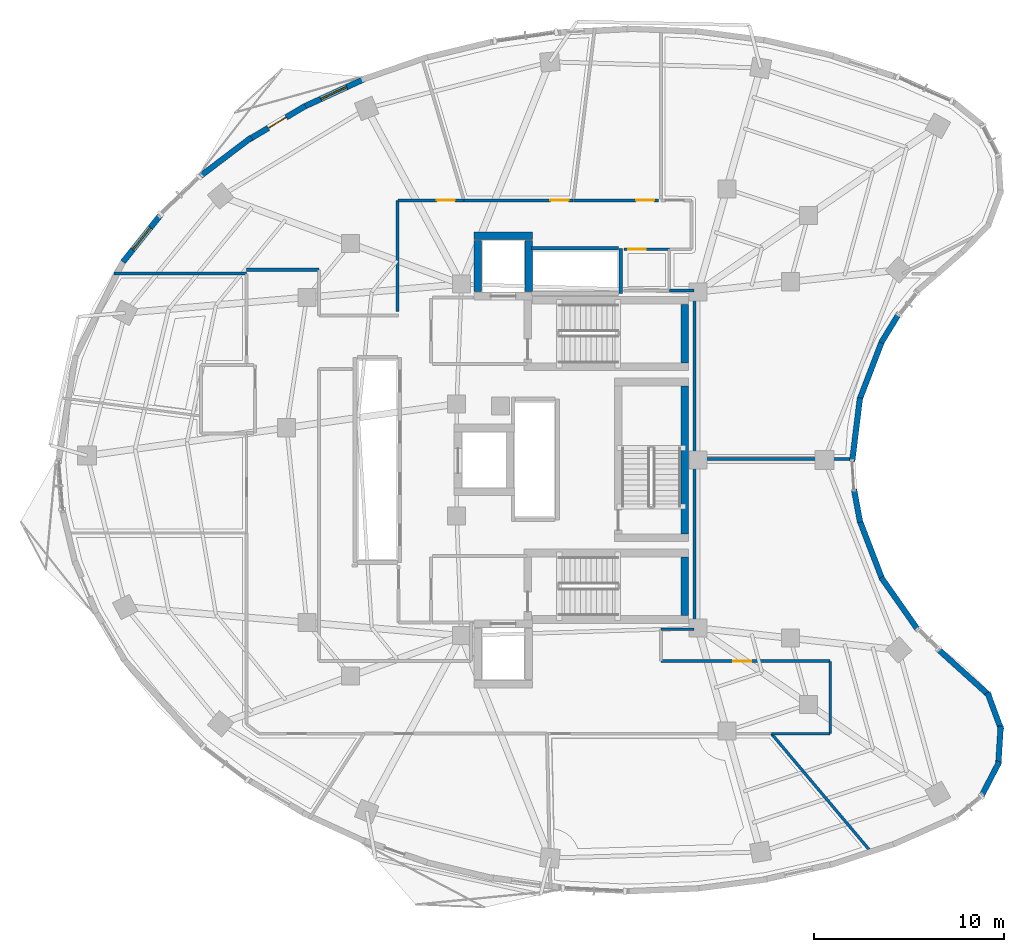
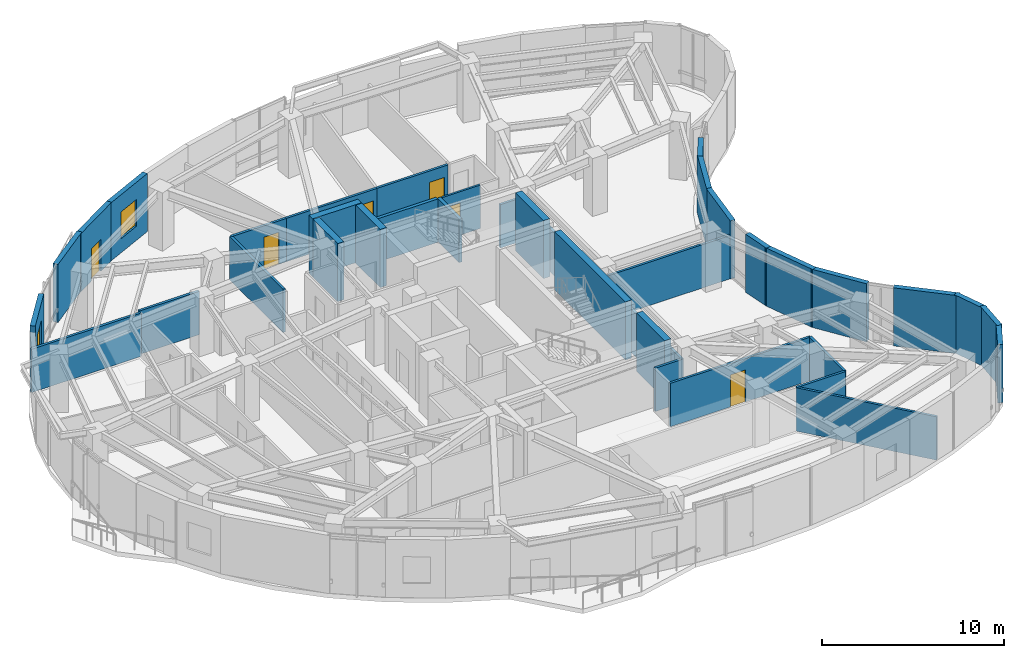
# One storey, part 10 of 15: 38 walls, 6 doors, 2 windows, 8 openings.
"""IFC4 building model written with IfcOpenShell, lengths in metres."""

import ifcopenshell
import ifcopenshell.guid

model = None  # the IFC model being written
_history = None  # IfcOwnerHistory: only IFC2X3 demands one
_inside = {}  # id of a spatial element -> (the spatial element, [elements in it])
_under = {}  # id of a project, library or spatial element -> (it, [spatial elements below it])
_declared = {}  # id of a project -> (the project, [libraries it declares])
_typed = {}  # id of a type object -> (the type object, [elements of that type])
_made_of = {}  # id of a material, layer set ... -> (it, [elements and type objects made of it])


def new_model(schema):
    """Start an empty IFC model of exactly this schema.

    Asked for "IFC4X3", IfcOpenShell would pick the latest addendum, in which some entities
    have other attributes; the version numbers below select the first issue.
    IFC2X3 requires an IfcOwnerHistory on every rooted entity: one is made here for all.
    """
    global model, _history
    if schema == "IFC4X3":
        model = ifcopenshell.file(schema_version=(4, 3, 0, 0))
    else:
        model = ifcopenshell.file(schema=schema)
    _inside.clear()
    _under.clear()
    _declared.clear()
    _typed.clear()
    _made_of.clear()
    _history = None
    if model.schema == "IFC2X3":
        org = make("IfcOrganization", Name="unknown")
        user = make(
            "IfcPersonAndOrganization",
            ThePerson=make("IfcPerson", FamilyName="unknown"),
            TheOrganization=org,
        )
        app = make(
            "IfcApplication",
            ApplicationDeveloper=org,
            Version="unknown",
            ApplicationFullName="unknown",
            ApplicationIdentifier="unknown",
        )
        _history = make(
            "IfcOwnerHistory",
            OwningUser=user,
            OwningApplication=app,
            ChangeAction="ADDED",
            CreationDate=0,
        )
    return model


def make(cls, **values):
    """One entity of the class cls with the attributes given. An attribute that is None is left unset."""
    return model.create_entity(
        cls, **{name: value for name, value in values.items() if value is not None}
    )


def rooted(cls, **values):
    """An entity with a GlobalId (a new one), such as an element, a storey or a relation."""
    return make(cls, GlobalId=ifcopenshell.guid.new(), OwnerHistory=_history, **values)


def si_unit(unit_type, name, prefix=None):
    """IfcSIUnit, for example si_unit("LENGTHUNIT", "METRE", prefix="MILLI")."""
    return make("IfcSIUnit", UnitType=unit_type, Prefix=prefix, Name=name)


def assignment(units):
    """IfcUnitAssignment: the units of a project."""
    return None if units is None else make("IfcUnitAssignment", Units=units)


def point(xyz):
    """IfcCartesianPoint."""
    return None if xyz is None else make("IfcCartesianPoint", Coordinates=xyz)


def direction(xyz):
    """IfcDirection."""
    return None if xyz is None else make("IfcDirection", DirectionRatios=xyz)


def frame(location, z_axis=None, x_axis=None):
    """IfcAxis2Placement3D, a coordinate frame: its origin and axes. An axis left out is left unset."""
    return make(
        "IfcAxis2Placement3D",
        Location=point(location),
        Axis=direction(z_axis),
        RefDirection=direction(x_axis),
    )


def frame_2d(location, x_axis=None):
    """IfcAxis2Placement2D, a coordinate frame in the plane: its origin and x axis."""
    return make(
        "IfcAxis2Placement2D", Location=point(location), RefDirection=direction(x_axis)
    )


def origin():
    """The frame at (0, 0, 0) with its axes left unset."""
    return frame((0.0, 0.0, 0.0))


def place(relative_to, where):
    """IfcLocalPlacement: puts the frame where relative to a parent placement (None: the world)."""
    return make(
        "IfcLocalPlacement", PlacementRelTo=relative_to, RelativePlacement=where
    )


def context(
    kind, dimensions, precision=None, world=None, true_north=None, identifier=None
):
    """IfcGeometricRepresentationContext, for example the 3D "Model" context."""
    return make(
        "IfcGeometricRepresentationContext",
        ContextIdentifier=identifier,
        ContextType=kind,
        CoordinateSpaceDimension=dimensions,
        Precision=precision,
        WorldCoordinateSystem=world,
        TrueNorth=true_north,
    )


def subcontext(parent, identifier, kind, view, scale=None):
    """IfcGeometricRepresentationSubContext, for example "Body" below "Model"."""
    return make(
        "IfcGeometricRepresentationSubContext",
        ContextIdentifier=identifier,
        ContextType=kind,
        ParentContext=parent,
        TargetScale=scale,
        TargetView=view,
    )


def project(units=None, contexts=None):
    """IfcProject with its units and contexts."""
    return rooted(
        "IfcProject",
        Name="project",
        RepresentationContexts=contexts,
        UnitsInContext=assignment(units),
    )


def spatial(cls, under=None, at=None, **own):
    """A site, building, storey or space (cls), placed at a placement, below another one or the project."""
    s = rooted(cls, ObjectPlacement=at, **own)
    if under is not None:
        _under.setdefault(under.id(), (under, []))[1].append(s)
    return s


def profile(cls, at=None, kind="AREA", **sizes):
    """A parametric profile (cls). Its sizes go by their IFC names, for example OverallWidth=200.0."""
    return make(cls, ProfileType=kind, Position=at, **sizes)


def rectangle(**sizes):
    """IfcRectangleProfileDef."""
    return profile("IfcRectangleProfileDef", **sizes)


def extrude(swept, where, along, depth):
    """IfcExtrudedAreaSolid: the profile swept, set in the frame where, extruded along a direction by depth."""
    return make(
        "IfcExtrudedAreaSolid",
        SweptArea=swept,
        Position=where,
        ExtrudedDirection=direction(along),
        Depth=depth,
    )


def shape(context_of_items, identifier, shape_type, items):
    """IfcShapeRepresentation: the items that make up one representation, for example the "Body"."""
    return make(
        "IfcShapeRepresentation",
        ContextOfItems=context_of_items,
        RepresentationIdentifier=identifier,
        RepresentationType=shape_type,
        Items=items,
    )


def material(Name=None, Category=None):
    """IfcMaterial."""
    return make("IfcMaterial", Name=Name, Category=Category)


def layer(
    of_material, thickness, ventilated=None, Name=None, Category=None, Priority=None
):
    """IfcMaterialLayer: one layer of a wall or slab, of a material (None: an air gap)."""
    return make(
        "IfcMaterialLayer",
        Material=of_material,
        LayerThickness=thickness,
        IsVentilated=ventilated,
        Name=Name,
        Category=Category,
        Priority=Priority,
    )


def layer_set(layers, Name=None):
    """IfcMaterialLayerSet."""
    return make("IfcMaterialLayerSet", MaterialLayers=layers, LayerSetName=Name)


def made_of(thing, what):
    """Note that an element or type object is made of a material, layer set ...; save() writes the relation."""
    if what is not None:
        _made_of.setdefault(what.id(), (what, []))[1].append(thing)
    return thing


def type_object(cls, material=None, **own):
    """A type object (cls), such as IfcWallType, which elements share."""
    return made_of(rooted(cls, **own), material)


def element(
    cls,
    number,
    at=None,
    inside=None,
    cuts=None,
    type_object=None,
    material=None,
    context=None,
    identifier="Body",
    shape_type=None,
    held_by="IfcProductDefinitionShape",
    body=None,
    shapes=None,
    **own,
):
    """One element of the class cls, such as IfcWall. Its Tag is "e" and its number.

    at: its placement. inside: the storey or other place that contains it. cuts: it is an
    opening in that element (IfcRelVoidsElement). A single representation is given by context,
    identifier, shape_type and body (its items); several are given by shapes. held_by: the class
    of the entity that holds the representations. save() writes the other relations.
    """
    e = rooted(cls, Tag="e%d" % number, ObjectPlacement=at, **own)
    if body is not None:
        shapes = [shape(context, identifier, shape_type, body)]
    if shapes is not None:
        e.Representation = make(held_by, Representations=shapes)
    if inside is not None:
        _inside.setdefault(inside.id(), (inside, []))[1].append(e)
    if cuts is not None:
        rooted(
            "IfcRelVoidsElement", RelatingBuildingElement=cuts, RelatedOpeningElement=e
        )
    if type_object is not None:
        _typed.setdefault(type_object.id(), (type_object, []))[1].append(e)
    return made_of(e, material)


def fill(opening, filler):
    """IfcRelFillsElement: the door or window that sits in an opening."""
    return rooted(
        "IfcRelFillsElement",
        RelatingOpeningElement=opening,
        RelatedBuildingElement=filler,
    )


def aggregate(whole, parts):
    """IfcRelAggregates: a whole, such as a stair, and the parts it consists of."""
    return rooted("IfcRelAggregates", RelatingObject=whole, RelatedObjects=parts)


def save(model, path):
    """Write the relations noted so far, then the file.

    IfcRelAggregates (storeys below a building ...), IfcRelContainedInSpatialStructure (elements
    in a storey), IfcRelDefinesByType, IfcRelAssociatesMaterial and IfcRelDeclares: one each for
    every whole, place, type object, material and project.
    """
    for whole, parts in _under.values():
        aggregate(whole, parts)
    for where, things in _inside.values():
        rooted(
            "IfcRelContainedInSpatialStructure",
            RelatedElements=things,
            RelatingStructure=where,
        )
    for kind, things in _typed.values():
        rooted("IfcRelDefinesByType", RelatedObjects=things, RelatingType=kind)
    for what, things in _made_of.values():
        rooted("IfcRelAssociatesMaterial", RelatedObjects=things, RelatingMaterial=what)
    for by, libraries in _declared.values():
        rooted("IfcRelDeclares", RelatingContext=by, RelatedDefinitions=libraries)
    model.write(path)


model = new_model("IFC4")

# Units and contexts
model_context = context("Model", 3, precision=1e-05, world=origin(), true_north=direction((0.0, 1.0)))
body_context = subcontext(model_context, "Body", "Model", "MODEL_VIEW")
ifc_project = project(units=[si_unit("LENGTHUNIT", "METRE"), si_unit("AREAUNIT", "SQUARE_METRE"), si_unit("VOLUMEUNIT", "CUBIC_METRE"), si_unit("PLANEANGLEUNIT", "RADIAN"), si_unit("MASSUNIT", "GRAM", prefix="KILO")], contexts=[model_context])

# Site, building, storey
site_placement = place(None, origin())
site = spatial("IfcSite", under=ifc_project, at=site_placement, CompositionType="ELEMENT")
building_placement = place(site_placement, origin())
building = spatial("IfcBuilding", under=site, at=building_placement, Name="Korentha Bioscience Tower", CompositionType="ELEMENT")
storey_placement = place(building_placement, frame((0.0, 0.0, 226.800048828125)))
storey = spatial("IfcBuildingStorey", under=building, at=storey_placement, Name="L52", CompositionType="ELEMENT", Elevation=226.800048828125)

# Wall, opening, door
ifc_material_1 = material(Name="Double-Stud Acoustic Gypsum", Category="gypsum")
ifc_layer_1 = layer(ifc_material_1, 0.14990234375, Name="Double-Stud Acoustic Gypsum")
ifc_layer_set_1 = layer_set([ifc_layer_1], Name="Double-Stud Acoustic Gypsum (IW-L150)")
wall_type_1 = type_object("IfcWallType", Name="Acoustic Laboratory Partition Wall 150", PredefinedType="PARTITIONING", material=ifc_layer_set_1)
wall_1_placement = place(storey_placement, frame((44.5, 16.409912109375, 0.0), z_axis=(0.0, 0.0, 1.0), x_axis=(-1.0, 0.0, 0.0)))
wall_1 = element("IfcWall", 1, at=wall_1_placement, inside=storey, type_object=wall_type_1, Name="L52 Clinical Trials Data Office 06 Entrance Wall", PredefinedType="PARTITIONING", context=body_context, shape_type="SweptSolid", body=[
    extrude(rectangle(XDim=8.89794921875, YDim=0.14990234375, at=frame_2d((4.448974609375, 0.0))), origin(), (0.0, 0.0, 1.0), 2.909912109375),
])
opening_1_placement = place(wall_1_placement, frame((4.13818359375, 0.0, 0.0)))
opening_1 = element("IfcOpeningElement", 2, at=opening_1_placement, cuts=wall_1, Name="Opening ID-10R", PredefinedType="OPENING", context=body_context, shape_type="SweptSolid", body=[
    extrude(rectangle(XDim=0.949951171875, YDim=2.14990234375, at=frame_2d((0.47509765625, 1.074951171875))), frame((0.0, 0.08984375, 0.0), z_axis=(0.0, -1.0, 0.0), x_axis=(1.0, 0.0, 0.0)), (0.0, 0.0, 1.0), 0.1796875),
])
ifc_material_2 = material(Name="Phenolic Laminate Timber Core", Category="wood")
door_type_1 = type_object("IfcDoorType", Name="Laboratory Single Leaf Door 950x2150 Right", OperationType="SINGLE_SWING_RIGHT", PredefinedType="DOOR", material=ifc_material_2)
door_1_placement = place(opening_1_placement, origin())
door_1 = element("IfcDoor", 3, at=door_1_placement, inside=storey, type_object=door_type_1, Name="L52 Clinical Trials Data Office 06 Door", OperationType="SINGLE_SWING_RIGHT", OverallHeight=2.14990234375, OverallWidth=0.949951171875, PredefinedType="DOOR", context=body_context, shape_type="SweptSolid", body=[
    extrude(rectangle(XDim=0.949951171875, YDim=2.14990234375, at=frame_2d((0.47509765625, 1.074951171875))), frame((0.0, 0.02490234375, 0.0), z_axis=(0.0, -1.0, 0.0), x_axis=(1.0, 0.0, 0.0)), (0.0, 0.0, 1.0), 0.050048828125),
])
fill(opening_1, door_1)

wall_2_placement = place(storey_placement, frame((35.482666015625, 40.659912109375, 0.0), z_axis=(0.0, 0.0, 1.0), x_axis=(-1.0, 0.0, 0.0)))
wall_2 = element("IfcWall", 4, at=wall_2_placement, inside=storey, type_object=wall_type_1, Name="L52 Bioinformatics Data Collaboration Hub 08 Entrance Wall", PredefinedType="PARTITIONING", context=body_context, shape_type="SweptSolid", body=[
    extrude(rectangle(XDim=4.49560546875, YDim=0.14990234375, at=frame_2d((2.247802734375, 0.0))), origin(), (0.0, 0.0, 1.0), 2.909912109375),
])
opening_2_placement = place(wall_2_placement, frame((0.239990234375, 0.0, 0.0)))
opening_2 = element("IfcOpeningElement", 5, at=opening_2_placement, cuts=wall_2, Name="Opening ID-10R", PredefinedType="OPENING", context=body_context, shape_type="SweptSolid", body=[
    extrude(rectangle(XDim=0.949951171875, YDim=2.14990234375, at=frame_2d((0.47509765625, 1.074951171875))), frame((0.0, 0.08984375, 0.0), z_axis=(0.0, -1.0, 0.0), x_axis=(1.0, 0.0, 0.0)), (0.0, 0.0, 1.0), 0.1796875),
])
door_2_placement = place(opening_2_placement, origin())
door_2 = element("IfcDoor", 6, at=door_2_placement, inside=storey, type_object=door_type_1, Name="L52 Bioinformatics Data Collaboration Hub 08 Door", OperationType="SINGLE_SWING_RIGHT", OverallHeight=2.14990234375, OverallWidth=0.949951171875, PredefinedType="DOOR", context=body_context, shape_type="SweptSolid", body=[
    extrude(rectangle(XDim=0.949951171875, YDim=2.14990234375, at=frame_2d((0.47509765625, 1.074951171875))), frame((0.0, 0.02490234375, 0.0), z_axis=(0.0, -1.0, 0.0), x_axis=(1.0, 0.0, 0.0)), (0.0, 0.0, 1.0), 0.050048828125),
])
fill(opening_2, door_2)

wall_3_placement = place(storey_placement, frame((30.97705078125, 40.659912109375, 0.0), z_axis=(0.0, 0.0, 1.0), x_axis=(-1.0, 0.0, 0.0)))
wall_3 = element("IfcWall", 7, at=wall_3_placement, inside=storey, type_object=wall_type_1, Name="L52 Researchers' Reading Lounge 09 Entrance Wall", PredefinedType="PARTITIONING", context=body_context, shape_type="SweptSolid", body=[
    extrude(rectangle(XDim=5.7412109375, YDim=0.14990234375, at=frame_2d((2.87060546875, 0.0))), origin(), (0.0, 0.0, 1.0), 2.909912109375),
])
opening_3_placement = place(wall_3_placement, frame((0.239990234375, 0.0, 0.0)))
opening_3 = element("IfcOpeningElement", 8, at=opening_3_placement, cuts=wall_3, Name="Opening ID-10L", PredefinedType="OPENING", context=body_context, shape_type="SweptSolid", body=[
    extrude(rectangle(XDim=0.949951171875, YDim=2.14990234375, at=frame_2d((0.47509765625, 1.074951171875))), frame((0.0, 0.08984375, 0.0), z_axis=(0.0, -1.0, 0.0), x_axis=(1.0, 0.0, 0.0)), (0.0, 0.0, 1.0), 0.1796875),
])
door_type_2 = type_object("IfcDoorType", Name="Laboratory Single Leaf Door 950x2150 Left", OperationType="SINGLE_SWING_LEFT", PredefinedType="DOOR", material=ifc_material_2)
door_3_placement = place(opening_3_placement, origin())
door_3 = element("IfcDoor", 9, at=door_3_placement, inside=storey, type_object=door_type_2, Name="L52 Researchers' Reading Lounge 09 Door", OperationType="SINGLE_SWING_LEFT", OverallHeight=2.14990234375, OverallWidth=0.949951171875, PredefinedType="DOOR", context=body_context, shape_type="SweptSolid", body=[
    extrude(rectangle(XDim=0.949951171875, YDim=2.14990234375, at=frame_2d((0.47509765625, 1.074951171875))), frame((0.0, 0.02490234375, 0.0), z_axis=(0.0, -1.0, 0.0), x_axis=(1.0, 0.0, 0.0)), (0.0, 0.0, 1.0), 0.050048828125),
])
fill(opening_3, door_3)

# Walls
wall_4_placement = place(storey_placement, frame((41.41796875, 12.590087890625, 0.0), z_axis=(0.0, 0.0, 1.0), x_axis=(0.644315695233, -0.764759625554, 0.0)))
element("IfcWall", 10, at=wall_4_placement, inside=storey, type_object=wall_type_1, Name="L52 Interior Partition 033", PredefinedType="PARTITIONING", context=body_context, shape_type="SweptSolid", body=[
    extrude(rectangle(XDim=8.229736328125, YDim=0.14990234375, at=frame_2d((4.11474609375, 0.0))), origin(), (0.0, 0.0, 1.0), 2.909912109375),
])
wall_5_placement = place(storey_placement, frame((35.60205078125, 18.090087890625, 0.0), z_axis=(0.0, 0.0, 1.0), x_axis=(1.0, 0.0, 0.0)))
element("IfcWall", 11, at=wall_5_placement, inside=storey, type_object=wall_type_1, Name="L52 Interior Partition 034", PredefinedType="PARTITIONING", context=body_context, shape_type="SweptSolid", body=[
    extrude(rectangle(XDim=1.748046875, YDim=0.14990234375, at=frame_2d((0.8740234375, 0.0))), origin(), (0.0, 0.0, 1.0), 2.909912109375),
])
wall_6_placement = place(storey_placement, frame((37.360107421875, 18.10009765625, 0.0), z_axis=(0.0, 0.0, 1.0), x_axis=(0.0, 1.0, 0.0)))
element("IfcWall", 12, at=wall_6_placement, inside=storey, type_object=wall_type_1, Name="L52 Interior Partition 035", PredefinedType="PARTITIONING", context=body_context, shape_type="SweptSolid", body=[
    extrude(rectangle(XDim=8.947998046875, YDim=0.14990234375, at=frame_2d((4.47412109375, 0.0))), origin(), (0.0, 0.0, 1.0), 2.909912109375),
])
wall_7_placement = place(storey_placement, frame((37.360107421875, 27.048095703125, 0.0), z_axis=(0.0, 0.0, 1.0), x_axis=(1.0, 0.0, 0.0)))
element("IfcWall", 13, at=wall_7_placement, inside=storey, type_object=wall_type_1, Name="L52 Interior Partition 036", PredefinedType="PARTITIONING", context=body_context, shape_type="SweptSolid", body=[
    extrude(rectangle(XDim=8.44140625, YDim=0.14990234375, at=frame_2d((4.220703125, 0.0))), origin(), (0.0, 0.0, 1.0), 2.909912109375),
])
wall_8_placement = place(storey_placement, frame((41.430908203125, 12.590087890625, 0.0), z_axis=(0.0, 0.0, 1.0), x_axis=(1.0, 0.0, 0.0)))
element("IfcWall", 14, at=wall_8_placement, inside=storey, type_object=wall_type_1, Name="L52 Interior Partition 037", PredefinedType="PARTITIONING", context=body_context, shape_type="SweptSolid", body=[
    extrude(rectangle(XDim=3.069091796875, YDim=0.14990234375, at=frame_2d((1.53466796875, 0.0))), origin(), (0.0, 0.0, 1.0), 2.909912109375),
])
wall_9_placement = place(storey_placement, frame((44.510009765625, 12.60009765625, 0.0), z_axis=(0.0, 0.0, 1.0), x_axis=(0.0, 1.0, 0.0)))
element("IfcWall", 15, at=wall_9_placement, inside=storey, type_object=wall_type_1, Name="L52 Interior Partition 038", PredefinedType="PARTITIONING", context=body_context, shape_type="SweptSolid", body=[
    extrude(rectangle(XDim=3.7998046875, YDim=0.14990234375, at=frame_2d((1.89990234375, 0.0))), origin(), (0.0, 0.0, 1.0), 2.909912109375),
])
wall_10_placement = place(storey_placement, frame((37.360107421875, 27.05810546875, 0.0), z_axis=(0.0, 0.0, 1.0), x_axis=(0.0, 1.0, 0.0)))
element("IfcWall", 16, at=wall_10_placement, inside=storey, type_object=wall_type_1, Name="L52 Interior Partition 043", PredefinedType="PARTITIONING", context=body_context, shape_type="SweptSolid", body=[
    extrude(rectangle(XDim=8.841796875, YDim=0.14990234375, at=frame_2d((4.4208984375, 0.0))), origin(), (0.0, 0.0, 1.0), 2.909912109375),
])
wall_11_placement = place(storey_placement, frame((37.35009765625, 35.909912109375, 0.0), z_axis=(0.0, 0.0, 1.0), x_axis=(-1.0, 0.0, 0.0)))
element("IfcWall", 17, at=wall_11_placement, inside=storey, type_object=wall_type_1, Name="L52 Interior Partition 044", PredefinedType="PARTITIONING", context=body_context, shape_type="SweptSolid", body=[
    extrude(rectangle(XDim=1.2900390625, YDim=0.14990234375, at=frame_2d((0.64501953125, 0.0))), origin(), (0.0, 0.0, 1.0), 2.909912109375),
])

# Wall, opening, door
ifc_material_3 = material(Name="Gypsum-Clad Steel Stud", Category="steel")
ifc_layer_2 = layer(ifc_material_3, 0.159912109375, Name="Gypsum-Clad Steel Stud")
ifc_layer_set_2 = layer_set([ifc_layer_2], Name="Gypsum-Clad Steel Stud (IW-C160)")
wall_type_2 = type_object("IfcWallType", Name="Fire-Rated Corridor Partition Wall 160", PredefinedType="PARTITIONING", material=ifc_layer_set_2)
wall_12_placement = place(storey_placement, frame((25.2255859375, 40.659912109375, 0.0), z_axis=(0.0, 0.0, 1.0), x_axis=(-1.0, 0.0, 0.0)))
wall_12 = element("IfcWall", 18, at=wall_12_placement, inside=storey, type_object=wall_type_2, Name="L52 Clean Linen and Labcoat Store 10 Entrance Wall", PredefinedType="PARTITIONING", context=body_context, shape_type="SweptSolid", body=[
    extrude(rectangle(XDim=3.4755859375, YDim=0.159912109375, at=frame_2d((1.73779296875, 0.0))), origin(), (0.0, 0.0, 1.0), 2.909912109375),
])
opening_4_placement = place(wall_12_placement, frame((0.47216796875, 0.0, 0.0)))
opening_4 = element("IfcOpeningElement", 19, at=opening_4_placement, cuts=wall_12, Name="Opening ID-10R", PredefinedType="OPENING", context=body_context, shape_type="SweptSolid", body=[
    extrude(rectangle(XDim=0.949951171875, YDim=2.14990234375, at=frame_2d((0.47509765625, 1.074951171875))), frame((0.0, 0.0947265625, 0.0), z_axis=(0.0, -1.0, 0.0), x_axis=(1.0, 0.0, 0.0)), (0.0, 0.0, 1.0), 0.189697265625),
])
door_4_placement = place(opening_4_placement, origin())
door_4 = element("IfcDoor", 20, at=door_4_placement, inside=storey, type_object=door_type_1, Name="L52 Clean Linen and Labcoat Store 10 Door", OperationType="SINGLE_SWING_RIGHT", OverallHeight=2.14990234375, OverallWidth=0.949951171875, PredefinedType="DOOR", context=body_context, shape_type="SweptSolid", body=[
    extrude(rectangle(XDim=0.949951171875, YDim=2.14990234375, at=frame_2d((0.47509765625, 1.074951171875))), frame((0.0, 0.02490234375, 0.0), z_axis=(0.0, -1.0, 0.0), x_axis=(1.0, 0.0, 0.0)), (0.0, 0.0, 1.0), 0.050048828125),
])
fill(opening_4, door_4)

# Walls
wall_13_placement = place(storey_placement, frame((21.739990234375, 40.64990234375, 0.0), z_axis=(0.0, 0.0, 1.0), x_axis=(0.0, -1.0, 0.0)))
element("IfcWall", 21, at=wall_13_placement, inside=storey, type_object=wall_type_2, Name="L52 Interior Partition 050", PredefinedType="PARTITIONING", context=body_context, shape_type="SweptSolid", body=[
    extrude(rectangle(XDim=5.849853515625, YDim=0.159912109375, at=frame_2d((2.9248046875, 0.0))), origin(), (0.0, 0.0, 1.0), 2.909912109375),
])
wall_14_placement = place(storey_placement, frame((17.60009765625, 37.010009765625, 0.0), z_axis=(0.0, 0.0, 1.0), x_axis=(-1.0, 0.0, 0.0)))
element("IfcWall", 22, at=wall_14_placement, inside=storey, type_object=wall_type_2, Name="L52 Interior Partition 053", PredefinedType="PARTITIONING", context=body_context, shape_type="SweptSolid", body=[
    extrude(rectangle(XDim=3.800048828125, YDim=0.159912109375, at=frame_2d((1.89990234375, 0.0))), origin(), (0.0, 0.0, 1.0), 2.909912109375),
])
wall_15_placement = place(storey_placement, frame((13.7900390625, 36.802001953125, 0.0), z_axis=(0.0, 0.0, 1.0), x_axis=(-1.0, 0.0, 0.0)))
element("IfcWall", 23, at=wall_15_placement, inside=storey, type_object=wall_type_2, Name="L52 Interior Partition 054", PredefinedType="PARTITIONING", context=body_context, shape_type="SweptSolid", body=[
    extrude(rectangle(XDim=6.976318359375, YDim=0.159912109375, at=frame_2d((3.48828125, 0.0))), origin(), (0.0, 0.0, 1.0), 2.909912109375),
])

# Wall, opening, window
ifc_material_4 = material(Name="Honed Limestone Precast Concrete C40", Category="masonry")
ifc_layer_3 = layer(ifc_material_4, 0.300048828125, Name="Honed Limestone Precast Concrete C40")
ifc_layer_set_3 = layer_set([ifc_layer_3], Name="Honed Limestone Precast Concrete C40 (EW-ST300)")
wall_type_3 = type_object("IfcWallType", Name="Honed Limestone Cavity Spandrel Wall 300", PredefinedType="STANDARD", material=ifc_layer_set_3)
wall_16_placement = place(storey_placement, frame((19.989990234375, 47.050537109375, 0.0), z_axis=(0.0, 0.0, 1.0), x_axis=(-0.908478431596, -0.41793174003, 0.0)))
wall_16 = element("IfcWall", 24, at=wall_16_placement, inside=storey, type_object=wall_type_3, Name="L52 Honed Limestone Spandrel Wall 10", PredefinedType="STANDARD", context=body_context, shape_type="SweptSolid", body=[
    extrude(rectangle(XDim=3.547119140625, YDim=0.300048828125, at=frame_2d((1.7734375, 0.0))), origin(), (0.0, 0.0, 1.0), 3.89990234375),
])
opening_5_placement = place(wall_16_placement, frame((1.0234375, 0.0, 0.949951171875)))
opening_5 = element("IfcOpeningElement", 25, at=opening_5_placement, cuts=wall_16, Name="Opening WN-02", PredefinedType="OPENING", context=body_context, shape_type="SweptSolid", body=[
    extrude(rectangle(XDim=1.5, YDim=1.800048828125, at=frame_2d((0.75, 0.89990234375))), frame((0.0, 0.1650390625, 0.0), z_axis=(0.0, -1.0, 0.0), x_axis=(1.0, 0.0, 0.0)), (0.0, 0.0, 1.0), 0.329833984375),
])
ifc_material_5 = material(Name="Thermally Broken Aluminium Triple Glazing", Category="aluminium")
window_type = type_object("IfcWindowType", Name="Acoustic Operable Office Window 1500x1800", PartitioningType="DOUBLE_PANEL_VERTICAL", PredefinedType="WINDOW", material=ifc_material_5)
window_1_placement = place(opening_5_placement, origin())
window_1 = element("IfcWindow", 26, at=window_1_placement, inside=storey, type_object=window_type, Name="L52 Facade Window 10", OverallHeight=1.800048828125, OverallWidth=1.5, PartitioningType="DOUBLE_PANEL_VERTICAL", PredefinedType="WINDOW", context=body_context, shape_type="SweptSolid", body=[
    extrude(rectangle(XDim=1.5, YDim=1.800048828125, at=frame_2d((0.75, 0.89990234375))), frame((0.0, 0.030029296875, 0.0), z_axis=(0.0, -1.0, 0.0), x_axis=(1.0, 0.0, 0.0)), (0.0, 0.0, 1.0), 0.06005859375),
])
fill(opening_5, window_1)

# Wall, opening, door
wall_17_placement = place(storey_placement, frame((16.888671875, 45.6318359375, 0.0), z_axis=(0.0, 0.0, 1.0), x_axis=(-0.859459434124, -0.511203952543, 0.0)))
wall_17 = element("IfcWall", 27, at=wall_17_placement, inside=storey, type_object=wall_type_3, Name="L52 Balcony Threshold Wall 01", PredefinedType="STANDARD", context=body_context, shape_type="SweptSolid", body=[
    extrude(rectangle(XDim=3.450439453125, YDim=0.300048828125, at=frame_2d((1.72509765625, 0.0))), origin(), (0.0, 0.0, 1.0), 3.89990234375),
])
opening_6_placement = place(wall_17_placement, frame((1.17529296875, 0.0, 0.0)))
opening_6 = element("IfcOpeningElement", 28, at=opening_6_placement, cuts=wall_17, Name="Opening BD-11L", PredefinedType="OPENING", context=body_context, shape_type="SweptSolid", body=[
    extrude(rectangle(XDim=1.10009765625, YDim=2.14990234375, at=frame_2d((0.550048828125, 1.074951171875))), frame((0.0, 0.1650390625, 0.0), z_axis=(0.0, -1.0, 0.0), x_axis=(1.0, 0.0, 0.0)), (0.0, 0.0, 1.0), 0.329833984375),
])
ifc_material_6 = material(Name="Thermally Broken Glazed Aluminium", Category="aluminium")
door_type_3 = type_object("IfcDoorType", Name="Balcony Terrace Glazed Door 1100x2150 Left", OperationType="SINGLE_SWING_LEFT", PredefinedType="DOOR", material=ifc_material_6)
door_5_placement = place(opening_6_placement, origin())
door_5 = element("IfcDoor", 29, at=door_5_placement, inside=storey, type_object=door_type_3, Name="L52 Balcony Access Door 01", OperationType="SINGLE_SWING_LEFT", OverallHeight=2.14990234375, OverallWidth=1.10009765625, PredefinedType="DOOR", context=body_context, shape_type="SweptSolid", body=[
    extrude(rectangle(XDim=1.10009765625, YDim=2.14990234375, at=frame_2d((0.550048828125, 1.074951171875))), frame((0.0, 0.02490234375, 0.0), z_axis=(0.0, -1.0, 0.0), x_axis=(1.0, 0.0, 0.0)), (0.0, 0.0, 1.0), 0.050048828125),
])
fill(opening_6, door_5)

# Wall, opening, window
wall_18_placement = place(storey_placement, frame((9.243896484375, 39.8681640625, 0.0), z_axis=(0.0, 0.0, 1.0), x_axis=(-0.624095877763, -0.781347768512, 0.0)))
wall_18 = element("IfcWall", 30, at=wall_18_placement, inside=storey, type_object=wall_type_3, Name="L52 Honed Limestone Spandrel Wall 14", PredefinedType="STANDARD", context=body_context, shape_type="SweptSolid", body=[
    extrude(rectangle(XDim=3.131591796875, YDim=0.300048828125, at=frame_2d((1.56591796875, 0.0))), origin(), (0.0, 0.0, 1.0), 3.89990234375),
])
opening_7_placement = place(wall_18_placement, frame((0.815673828125, 0.0, 0.949951171875)))
opening_7 = element("IfcOpeningElement", 31, at=opening_7_placement, cuts=wall_18, Name="Opening WN-02", PredefinedType="OPENING", context=body_context, shape_type="SweptSolid", body=[
    extrude(rectangle(XDim=1.5, YDim=1.800048828125, at=frame_2d((0.75, 0.89990234375))), frame((0.0, 0.1650390625, 0.0), z_axis=(0.0, -1.0, 0.0), x_axis=(1.0, 0.0, 0.0)), (0.0, 0.0, 1.0), 0.329833984375),
])
window_2_placement = place(opening_7_placement, origin())
window_2 = element("IfcWindow", 32, at=window_2_placement, inside=storey, type_object=window_type, Name="L52 Facade Window 14", OverallHeight=1.800048828125, OverallWidth=1.5, PartitioningType="DOUBLE_PANEL_VERTICAL", PredefinedType="WINDOW", context=body_context, shape_type="SweptSolid", body=[
    extrude(rectangle(XDim=1.5, YDim=1.800048828125, at=frame_2d((0.75, 0.89990234375))), frame((0.0, 0.030029296875, 0.0), z_axis=(0.0, -1.0, 0.0), x_axis=(1.0, 0.0, 0.0)), (0.0, 0.0, 1.0), 0.06005859375),
])
fill(opening_7, window_2)

# Walls
wall_19_placement = place(storey_placement, frame((14.041259765625, 43.972900390625, 0.0), z_axis=(0.0, 0.0, 1.0), x_axis=(-0.796917512891, -0.604088137317, 0.0)))
element("IfcWall", 33, at=wall_19_placement, inside=storey, type_object=wall_type_3, Name="L52 Limestone Perimeter Closure Wall 12", PredefinedType="STANDARD", context=body_context, shape_type="SweptSolid", body=[
    extrude(rectangle(XDim=3.385498046875, YDim=0.300048828125, at=frame_2d((1.69287109375, 0.0))), origin(), (0.0, 0.0, 1.0), 3.89990234375),
])
wall_20_placement = place(storey_placement, frame((52.451904296875, 9.2646484375, 0.0), z_axis=(0.0, 0.0, 1.0), x_axis=(0.459683297138, 0.888082916361, 0.0)))
element("IfcWall", 34, at=wall_20_placement, inside=storey, type_object=wall_type_3, Name="L52 Limestone Perimeter Closure Wall 38", PredefinedType="STANDARD", context=body_context, shape_type="SweptSolid", body=[
    extrude(rectangle(XDim=2.091552734375, YDim=0.300048828125, at=frame_2d((1.0458984375, 0.0))), origin(), (0.0, 0.0, 1.0), 3.89990234375),
])
for number, where, z_axis, x_axis, name in (
    (35, (53.356201171875, 10.915283203125, 0.0), (0.0, 0.0, 1.0), (0.06186954965, 0.998084244353, 0.0), "L52 Limestone Perimeter Closure Wall 39"),
    (36, (53.516845703125, 12.790771484375, 0.0), (0.0, 0.0, 1.0), (-0.346359858312, 0.93810172612, 0.0), "L52 Limestone Perimeter Closure Wall 40"),
):
    element("IfcWall", number, at=place(storey_placement, frame(where, z_axis=z_axis, x_axis=x_axis)), inside=storey, type_object=wall_type_3, Name=name, PredefinedType="STANDARD", context=body_context, shape_type="SweptSolid", body=[
        extrude(rectangle(XDim=2.09130859375, YDim=0.300048828125, at=frame_2d((1.045654296875, 0.0))), origin(), (0.0, 0.0, 1.0), 3.89990234375),
    ])
wall_21_placement = place(storey_placement, frame((52.9169921875, 14.568603515625, 0.0), z_axis=(0.0, 0.0, 1.0), x_axis=(-0.742037796493, 0.670358045059, 0.0)))
element("IfcWall", 37, at=wall_21_placement, inside=storey, type_object=wall_type_3, Name="L52 Limestone Perimeter Closure Wall 41", PredefinedType="STANDARD", context=body_context, shape_type="SweptSolid", body=[
    extrude(rectangle(XDim=3.685302734375, YDim=0.300048828125, at=frame_2d((1.8427734375, 0.0))), origin(), (0.0, 0.0, 1.0), 3.89990234375),
])
wall_22_placement = place(storey_placement, frame((49.123046875, 18.0673828125, 0.0), z_axis=(0.0, 0.0, 1.0), x_axis=(-0.573598849051, 0.819136350291, 0.0)))
element("IfcWall", 38, at=wall_22_placement, inside=storey, type_object=wall_type_3, Name="L52 Limestone Perimeter Closure Wall 44", PredefinedType="STANDARD", context=body_context, shape_type="SweptSolid", body=[
    extrude(rectangle(XDim=3.36083984375, YDim=0.300048828125, at=frame_2d((1.680419921875, 0.0))), origin(), (0.0, 0.0, 1.0), 3.89990234375),
])
wall_23_placement = place(storey_placement, frame((47.25390625, 20.710205078125, 0.0), z_axis=(0.0, 0.0, 1.0), x_axis=(-0.358365624917, 0.933581318835, 0.0)))
element("IfcWall", 39, at=wall_23_placement, inside=storey, type_object=wall_type_3, Name="L52 Limestone Perimeter Closure Wall 46", PredefinedType="STANDARD", context=body_context, shape_type="SweptSolid", body=[
    extrude(rectangle(XDim=3.360595703125, YDim=0.300048828125, at=frame_2d((1.68017578125, 0.0))), origin(), (0.0, 0.0, 1.0), 3.89990234375),
])
wall_24_placement = place(storey_placement, frame((46.0859375, 23.718994140625, 0.0), z_axis=(0.0, 0.0, 1.0), x_axis=(-0.182198328631, 0.983261800867, 0.0)))
element("IfcWall", 40, at=wall_24_placement, inside=storey, type_object=wall_type_3, Name="L52 Limestone Perimeter Closure Wall 48", PredefinedType="STANDARD", context=body_context, shape_type="SweptSolid", body=[
    extrude(rectangle(XDim=1.763427734375, YDim=0.300048828125, at=frame_2d((0.8818359375, 0.0))), origin(), (0.0, 0.0, 1.0), 3.89990234375),
])
for number, where, z_axis, x_axis, name in (
    (41, (45.67041015625, 26.937744140625, 0.0), (0.0, 0.0, 1.0), (0.121834797873, 0.992550392689, 0.0), "L52 Limestone Perimeter Closure Wall 50"),
    (42, (46.049560546875, 30.15234375, 0.0), (0.0, 0.0, 1.0), (0.358365624917, 0.933581318835, 0.0), "L52 Limestone Perimeter Closure Wall 52"),
):
    element("IfcWall", number, at=place(storey_placement, frame(where, z_axis=z_axis, x_axis=x_axis)), inside=storey, type_object=wall_type_3, Name=name, PredefinedType="STANDARD", context=body_context, shape_type="SweptSolid", body=[
        extrude(rectangle(XDim=3.360595703125, YDim=0.300048828125, at=frame_2d((1.68017578125, 0.0))), origin(), (0.0, 0.0, 1.0), 3.89990234375),
    ])
wall_25_placement = place(storey_placement, frame((47.19482421875, 33.169921875, 0.0), z_axis=(0.0, 0.0, 1.0), x_axis=(0.522536083939, 0.852617171409, 0.0)))
element("IfcWall", 43, at=wall_25_placement, inside=storey, type_object=wall_type_3, Name="L52 Limestone Perimeter Closure Wall 54", PredefinedType="STANDARD", context=body_context, shape_type="SweptSolid", body=[
    extrude(rectangle(XDim=1.76318359375, YDim=0.300048828125, at=frame_2d((0.881591796875, 0.0))), origin(), (0.0, 0.0, 1.0), 3.89990234375),
])
ifc_material_7 = material(Name="Autoclaved Aerated Concrete Block C25", Category="concrete")
ifc_layer_4 = layer(ifc_material_7, 0.199951171875, Name="Autoclaved Aerated Concrete Block C25")
ifc_layer_set_4 = layer_set([ifc_layer_4], Name="Autoclaved Aerated Concrete Block C25 (IW-S200)")
wall_type_4 = type_object("IfcWallType", Name="Lift and Riser Shaft Enclosure Wall 200", PredefinedType="PARTITIONING", material=ifc_layer_set_4)
wall_26_placement = place(storey_placement, frame((33.489990234375, 35.760009765625, 0.0), z_axis=(0.0, 0.0, 1.0), x_axis=(0.0, 1.0, 0.0)))
element("IfcWall", 44, at=wall_26_placement, inside=storey, type_object=wall_type_4, Name="L52 Lift Bank OBS Shaft Wall +X", PredefinedType="PARTITIONING", context=body_context, shape_type="SweptSolid", body=[
    extrude(rectangle(XDim=2.3798828125, YDim=0.199951171875, at=frame_2d((1.18994140625, 0.0))), origin(), (0.0, 0.0, 1.0), 2.909912109375),
])
wall_27_placement = place(storey_placement, frame((28.800048828125, 38.139892578125, 0.0), z_axis=(0.0, 0.0, 1.0), x_axis=(1.0, 0.0, 0.0)))
element("IfcWall", 45, at=wall_27_placement, inside=storey, type_object=wall_type_4, Name="L52 Lift Bank OBS Shaft Wall +Y", PredefinedType="PARTITIONING", context=body_context, shape_type="SweptSolid", body=[
    extrude(rectangle(XDim=4.570068359375, YDim=0.199951171875, at=frame_2d((2.28515625, 0.0))), origin(), (0.0, 0.0, 1.0), 2.909912109375),
])
ifc_material_8 = material(Name="Concrete C65", Category="concrete")
ifc_layer_5 = layer(ifc_material_8, 0.39990234375, Name="Concrete C65")
ifc_layer_set_5 = layer_set([ifc_layer_5], Name="Concrete C65 (CW-C65)")
wall_type_5 = type_object("IfcWallType", Name="Mid-Rise Core Shear Wall 400", PredefinedType="SHEAR", material=ifc_layer_set_5)
for number, where, z_axis, x_axis, name in (
    (46, (36.85009765625, 32.110107421875, 0.0), (0.0, 0.0, 1.0), (0.0, 1.0, 0.0), "L52 Core Shear Wall ST1-E"),
    (47, (36.85009765625, 18.81005859375, 0.0), (0.0, 0.0, 1.0), (0.0, 1.0, 0.0), "L52 Core Shear Wall ST2-E"),
):
    element("IfcWall", number, at=place(storey_placement, frame(where, z_axis=z_axis, x_axis=x_axis)), inside=storey, type_object=wall_type_5, Name=name, PredefinedType="SHEAR", context=body_context, shape_type="SweptSolid", body=[
        extrude(rectangle(XDim=3.079833984375, YDim=0.39990234375, at=frame_2d((1.5400390625, 0.0))), origin(), (0.0, 0.0, 1.0), 3.89990234375),
    ])
wall_28_placement = place(storey_placement, frame((36.85009765625, 23.110107421875, 0.0), z_axis=(0.0, 0.0, 1.0), x_axis=(0.0, 1.0, 0.0)))
element("IfcWall", 48, at=wall_28_placement, inside=storey, type_object=wall_type_5, Name="L52 Core Shear Wall ST3-E", PredefinedType="SHEAR", context=body_context, shape_type="SweptSolid", body=[
    extrude(rectangle(XDim=7.77978515625, YDim=0.39990234375, at=frame_2d((3.889892578125, 0.0))), origin(), (0.0, 0.0, 1.0), 3.89990234375),
])
wall_29_placement = place(storey_placement, frame((25.75, 38.800048828125, 0.0), z_axis=(0.0, 0.0, 1.0), x_axis=(1.0, 0.0, 0.0)))
element("IfcWall", 49, at=wall_29_placement, inside=storey, type_object=wall_type_5, Name="L52 Core Shear Wall FFL2-N", PredefinedType="SHEAR", context=body_context, shape_type="SweptSolid", body=[
    extrude(rectangle(XDim=3.10009765625, YDim=0.39990234375, at=frame_2d((1.550048828125, 0.0))), origin(), (0.0, 0.0, 1.0), 3.89990234375),
])
for number, where, z_axis, x_axis, name in (
    (50, (25.949951171875, 35.860107421875, 0.0), (0.0, 0.0, 1.0), (0.0, 1.0, 0.0), "L52 Core Shear Wall FFL2-W"),
    (51, (28.64990234375, 35.860107421875, 0.0), (0.0, 0.0, 1.0), (0.0, 1.0, 0.0), "L52 Core Shear Wall FFL2-E"),
):
    element("IfcWall", number, at=place(storey_placement, frame(where, z_axis=z_axis, x_axis=x_axis)), inside=storey, type_object=wall_type_5, Name=name, PredefinedType="SHEAR", context=body_context, shape_type="SweptSolid", body=[
        extrude(rectangle(XDim=2.699951171875, YDim=0.39990234375, at=frame_2d((1.35009765625, 0.0))), origin(), (0.0, 0.0, 1.0), 3.89990234375),
    ])

# Wall, opening, door
ifc_material_9 = material(Name="Cement-Board Steel Stud", Category="steel")
ifc_layer_6 = layer(ifc_material_9, 0.1298828125, Name="Cement-Board Steel Stud")
ifc_layer_set_6 = layer_set([ifc_layer_6], Name="Cement-Board Steel Stud (IW-W130)")
wall_type_6 = type_object("IfcWallType", Name="Wet-Area Moisture-Resistant Partition 130", PredefinedType="PARTITIONING", material=ifc_layer_set_6)
wall_30_placement = place(storey_placement, frame((33.64990234375, 38.090087890625, 0.0), z_axis=(0.0, 0.0, 1.0), x_axis=(1.0, 0.0, 0.0)))
wall_30 = element("IfcWall", 52, at=wall_30_placement, inside=storey, type_object=wall_type_6, Name="L52 Accessible Staff WC Entrance Wall", PredefinedType="PARTITIONING", context=body_context, shape_type="SweptSolid", body=[
    extrude(rectangle(XDim=2.400146484375, YDim=0.1298828125, at=frame_2d((1.2001953125, 0.0))), origin(), (0.0, 0.0, 1.0), 2.909912109375),
])
opening_8_placement = place(wall_30_placement, frame((0.239990234375, 0.0, 0.0)))
opening_8 = element("IfcOpeningElement", 53, at=opening_8_placement, cuts=wall_30, Name="Opening ID-09L", PredefinedType="OPENING", context=body_context, shape_type="SweptSolid", body=[
    extrude(rectangle(XDim=0.89990234375, YDim=2.14990234375, at=frame_2d((0.449951171875, 1.074951171875))), frame((0.0, 0.079833984375, 0.0), z_axis=(0.0, -1.0, 0.0), x_axis=(1.0, 0.0, 0.0)), (0.0, 0.0, 1.0), 0.15966796875),
])
ifc_material_10 = material(Name="Moisture-Resistant HPL Leaf", Category="wood")
door_type_4 = type_object("IfcDoorType", Name="Restroom & Accessible WC Door 900x2150 Left", OperationType="SINGLE_SWING_LEFT", PredefinedType="DOOR", material=ifc_material_10)
door_6_placement = place(opening_8_placement, origin())
door_6 = element("IfcDoor", 54, at=door_6_placement, inside=storey, type_object=door_type_4, Name="L52 Accessible Staff WC Door", OperationType="SINGLE_SWING_LEFT", OverallHeight=2.14990234375, OverallWidth=0.89990234375, PredefinedType="DOOR", context=body_context, shape_type="SweptSolid", body=[
    extrude(rectangle(XDim=0.89990234375, YDim=2.14990234375, at=frame_2d((0.449951171875, 1.074951171875))), frame((0.0, 0.02490234375, 0.0), z_axis=(0.0, -1.0, 0.0), x_axis=(1.0, 0.0, 0.0)), (0.0, 0.0, 1.0), 0.050048828125),
])
fill(opening_8, door_6)

save(model, "model.ifc")
